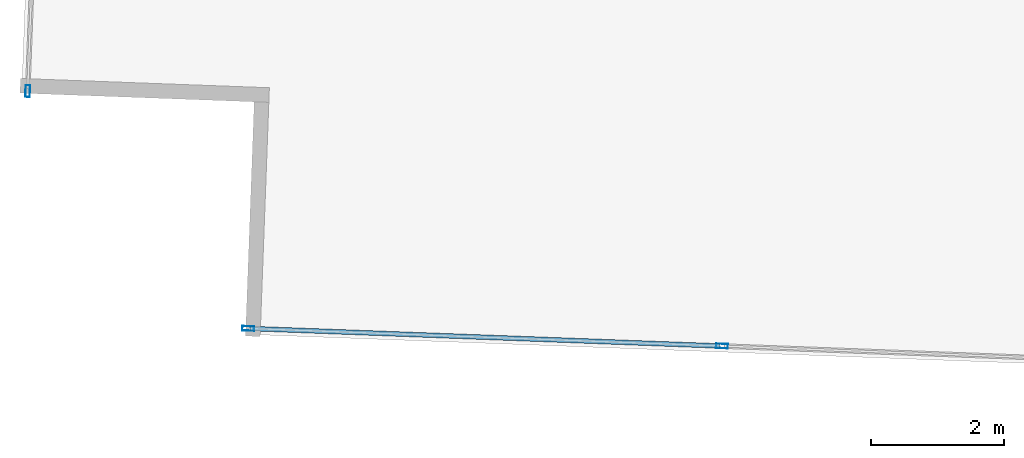
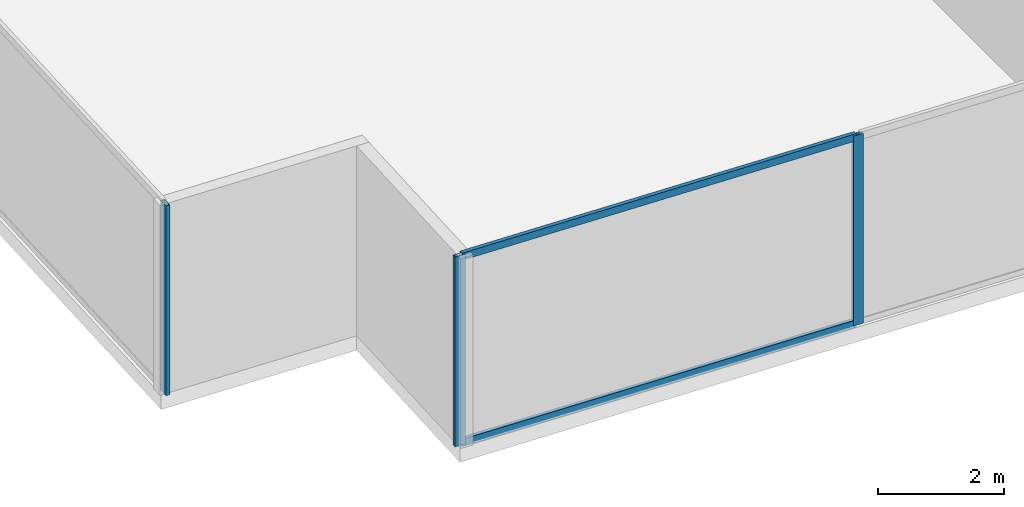
# One storey, part 2 of 30: 5 members, 2 elements without a shape of their own.
"""IFC4 building model written with IfcOpenShell, lengths in metres."""

from ifc_helpers import new_model, si_unit, direction, frame, origin, origin_2d, place, context, subcontext, project, spatial, hollow_rectangle, extrude, source, transform, mapped, material, material_profile, profile_set, type_object, type_shapes, element, aggregate, save


model = new_model("IFC4")

# Units and contexts
model_context = context("Model", 3, precision=1e-05, world=origin(), true_north=direction((0.0, 1.0)))
body_context = subcontext(model_context, "Body", "Model", "MODEL_VIEW")
ifc_project = project(units=[si_unit("LENGTHUNIT", "METRE"), si_unit("AREAUNIT", "SQUARE_METRE"), si_unit("VOLUMEUNIT", "CUBIC_METRE"), si_unit("PLANEANGLEUNIT", "RADIAN"), si_unit("MASSUNIT", "GRAM", prefix="KILO")], contexts=[model_context])

# Site, building, storey
site_placement = place(None, origin())
site = spatial("IfcSite", under=ifc_project, at=site_placement, CompositionType="ELEMENT")
building_placement = place(site_placement, origin())
building = spatial("IfcBuilding", under=site, at=building_placement, Name="Krantzveldt Concourse Tower", CompositionType="ELEMENT")
storey_placement = place(building_placement, frame((0.0, 0.0, 44.75)))
storey = spatial("IfcBuildingStorey", under=building, at=storey_placement, Name="L10", CompositionType="ELEMENT", Elevation=44.75)

# Curtain wall, member
ifc_material = material(Name="Anodised aluminium 6063-T6", Category="aluminium")
curtain_wall_type = type_object("IfcCurtainWallType", Name="CW2", PredefinedType="USERDEFINED", material=ifc_material)
curtain_wall_1_placement = place(storey_placement, origin())
curtain_wall_1 = element("IfcCurtainWall", 1, at=curtain_wall_1_placement, inside=storey, type_object=curtain_wall_type, Name="CW-L10-F01", ObjectType="UNITISED CURTAIN WALL", PredefinedType="USERDEFINED")
ifc_material_profile_1 = material_profile(ifc_material, hollow_rectangle(XDim=0.070068359375, YDim=0.179931640625, WallThickness=0.0048828125, at=origin_2d()), Name="Anodised aluminium 6063-T6", Category="aluminium")
ifc_profile_set_1 = profile_set([ifc_material_profile_1], Name="Anodised aluminium 6063-T6 - ALU-MULL 180x70x5")
member_type_1 = type_object("IfcMemberType", Name="CW-MUL-180", PredefinedType="MULLION", material=ifc_profile_set_1)
shared_shape_1 = source(origin(), body_context, "Body", "SweptSolid", [
    extrude(hollow_rectangle(XDim=0.070068359375, YDim=0.179931640625, WallThickness=0.0048828125, at=origin_2d()), origin(), (0.0, 0.0, 1.0), 3.669921875),
])
type_shapes(member_type_1, [shared_shape_1])
member_1_placement = place(storey_placement, frame((10.311279296875, 6.17333984375, 0.0), z_axis=(0.0, 0.0, 1.0), x_axis=(0.999312308986, -0.037079766834, 0.0)))
member_1 = element("IfcMember", 2, at=member_1_placement, type_object=member_type_1, Name="CW-Z12 mullion 7", PredefinedType="MULLION", context=body_context, shape_type="MappedRepresentation", body=[
    mapped(shared_shape_1, transform((0.0, 0.0, 0.0), x_axis=(1.0, 0.0, 0.0), y_axis=(0.0, 1.0, 0.0), z_axis=(0.0, 0.0, 1.0), scale=1.0)),
])
aggregate(curtain_wall_1, [member_1])

# Curtain wall, members
curtain_wall_2_placement = place(storey_placement, origin())
curtain_wall_2 = element("IfcCurtainWall", 3, at=curtain_wall_2_placement, inside=storey, type_object=curtain_wall_type, Name="CW-L10-F04", ObjectType="UNITISED CURTAIN WALL", PredefinedType="USERDEFINED")
member_2_placement = place(storey_placement, frame((13.626220703125, 2.60302734375, 0.0), z_axis=(0.0, 0.0, 1.0), x_axis=(0.037079766834, 0.999312308986, 0.0)))
member_2 = element("IfcMember", 4, at=member_2_placement, type_object=member_type_1, Name="CW-Z12 mullion 1", PredefinedType="MULLION", context=body_context, shape_type="MappedRepresentation", body=[
    mapped(shared_shape_1, transform((0.0, 0.0, 0.0), x_axis=(1.0, 0.0, 0.0), y_axis=(0.0, 1.0, 0.0), z_axis=(0.0, 0.0, 1.0), scale=1.0)),
])
member_3_placement = place(storey_placement, frame((20.7529296875, 2.338623046875, 0.0), z_axis=(0.0, 0.0, 1.0), x_axis=(0.037079766834, 0.999312308986, 0.0)))
member_3 = element("IfcMember", 5, at=member_3_placement, type_object=member_type_1, Name="CW-Z12 mullion 2", PredefinedType="MULLION", context=body_context, shape_type="MappedRepresentation", body=[
    mapped(shared_shape_1, transform((0.0, 0.0, 0.0), x_axis=(1.0, 0.0, 0.0), y_axis=(0.0, 1.0, 0.0), z_axis=(0.0, 0.0, 1.0), scale=1.0)),
])
ifc_material_profile_2 = material_profile(ifc_material, hollow_rectangle(XDim=0.070068359375, YDim=0.139892578125, WallThickness=0.0048828125, at=origin_2d()), Name="Anodised aluminium 6063-T6", Category="aluminium")
ifc_profile_set_2 = profile_set([ifc_material_profile_2], Name="Anodised aluminium 6063-T6 - ALU-TRAN 140x70x5")
member_type_2 = type_object("IfcMemberType", Name="CW-TRN-150", PredefinedType="USERDEFINED", material=ifc_profile_set_2)
shared_shape_2 = source(origin(), body_context, "Body", "SweptSolid", [
    extrude(hollow_rectangle(XDim=0.070068359375, YDim=0.139892578125, WallThickness=0.0048828125, at=origin_2d()), origin(), (0.0, 0.0, 1.0), 7.0615234375),
])
type_shapes(member_type_2, [shared_shape_2])
member_4_placement = place(storey_placement, frame((13.6611328125, 2.601806640625, 0.034912109375), z_axis=(0.999311656912, -0.037097336281, 0.0), x_axis=(0.037097336281, 0.999311656912, 0.0)))
member_4 = element("IfcMember", 6, at=member_4_placement, type_object=member_type_2, Name="CW-Z12 transom 1.1", ObjectType="TRANSOM", PredefinedType="USERDEFINED", context=body_context, shape_type="MappedRepresentation", body=[
    mapped(shared_shape_2, transform((0.0, 0.0, 0.0), x_axis=(1.0, 0.0, 0.0), y_axis=(0.0, 1.0, 0.0), z_axis=(0.0, 0.0, 1.0), scale=1.0)),
])
member_5_placement = place(storey_placement, frame((13.6611328125, 2.601806640625, 3.635009765625), z_axis=(0.999311656912, -0.037097336281, 0.0), x_axis=(0.037097336281, 0.999311656912, 0.0)))
member_5 = element("IfcMember", 7, at=member_5_placement, type_object=member_type_2, Name="CW-Z12 transom 1.2", ObjectType="TRANSOM", PredefinedType="USERDEFINED", context=body_context, shape_type="MappedRepresentation", body=[
    mapped(shared_shape_2, transform((0.0, 0.0, 0.0), x_axis=(1.0, 0.0, 0.0), y_axis=(0.0, 1.0, 0.0), z_axis=(0.0, 0.0, 1.0), scale=1.0)),
])
aggregate(curtain_wall_2, [member_2, member_3, member_4, member_5])

save(model, "model.ifc")
